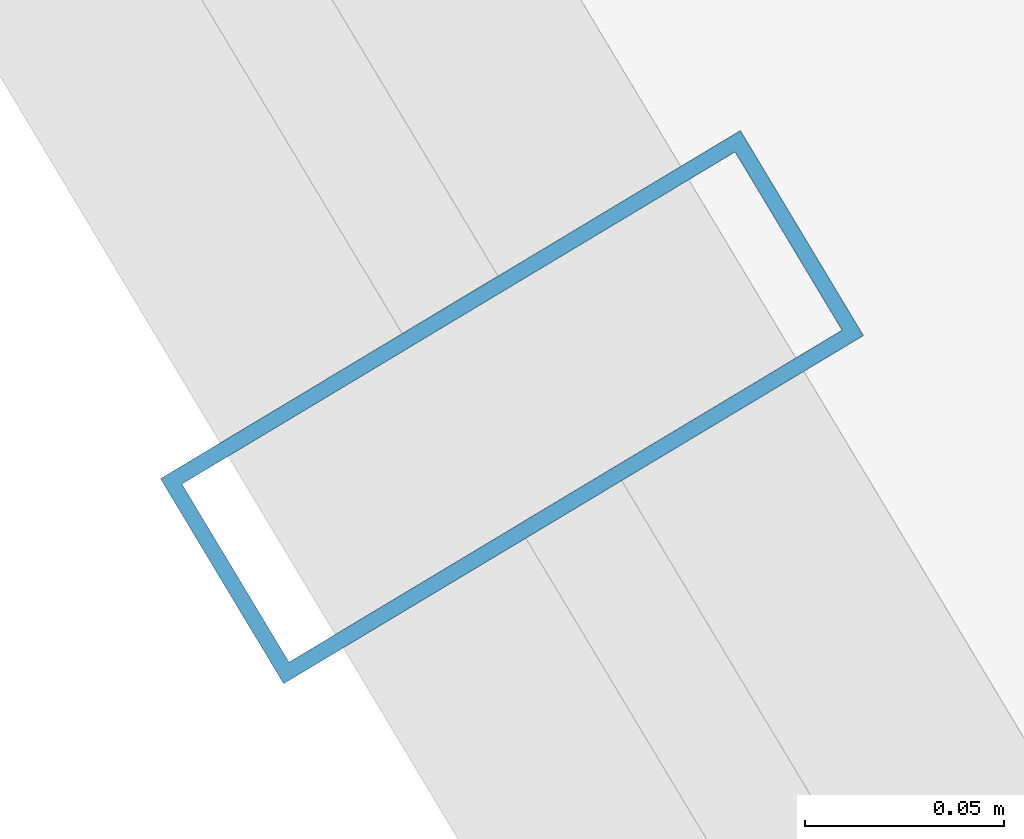
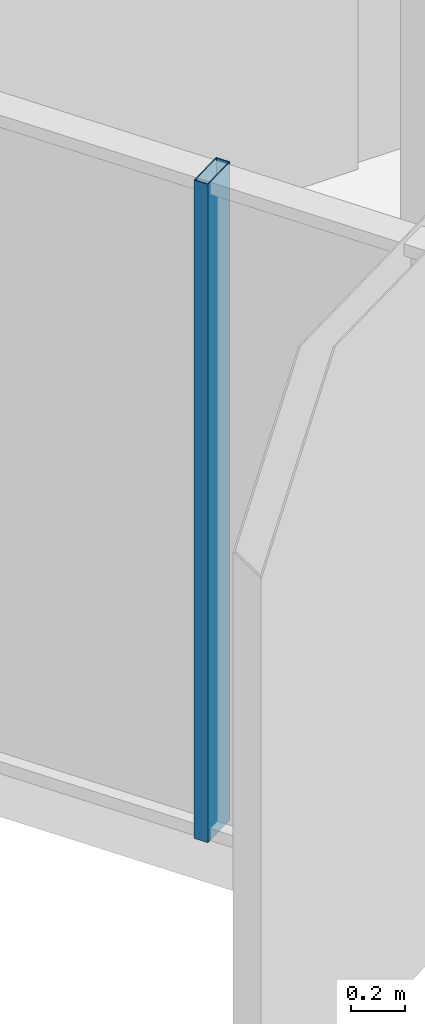
# One storey, part 4 of 39: 1 member, 1 element without a shape of its own.
"""IFC4 building model written with IfcOpenShell, lengths in metres."""

from ifc_helpers import new_model, si_unit, direction, frame, origin, origin_2d, place, context, subcontext, project, spatial, hollow_rectangle, extrude, source, transform, mapped, material, layer, layer_set, material_profile, profile_set, type_object, element, aggregate, save


model = new_model("IFC4")

# Units and contexts
model_context = context("Model", 3, precision=1e-05, world=origin(), true_north=direction((0.0, 1.0)))
body_context = subcontext(model_context, "Body", "Model", "MODEL_VIEW")
ifc_project = project(units=[si_unit("LENGTHUNIT", "METRE"), si_unit("AREAUNIT", "SQUARE_METRE"), si_unit("VOLUMEUNIT", "CUBIC_METRE"), si_unit("PLANEANGLEUNIT", "RADIAN"), si_unit("MASSUNIT", "GRAM", prefix="KILO")], contexts=[model_context])

# Site, building, storey
site_placement = place(None, origin())
site = spatial("IfcSite", under=ifc_project, at=site_placement, CompositionType="ELEMENT")
building_placement = place(site_placement, origin())
building = spatial("IfcBuilding", under=site, at=building_placement, Name="Veraguas Prism Commons", CompositionType="ELEMENT")
storey_placement = place(building_placement, frame((0.0, 0.0, 27.300048828125)))
storey = spatial("IfcBuildingStorey", under=building, at=storey_placement, Name="L06", CompositionType="ELEMENT", Elevation=27.300048828125)

# Curtain wall, member
ifc_material = material(Name="Anodised aluminium EN AW-6063 T6", Category="aluminium")
ifc_layer = layer(ifc_material, 0.169921875, Name="Unitised Flush Curtain Wall Zone 1", Category="aluminium")
ifc_layer_set = layer_set([ifc_layer], Name="Anodised aluminium EN AW-6063 T6")
curtain_wall_type = type_object("IfcCurtainWallType", Name="Unitised Flush Curtain Wall Zone 1", PredefinedType="NOTDEFINED", material=ifc_layer_set)
curtain_wall_placement = place(storey_placement, origin())
curtain_wall = element("IfcCurtainWall", 1, at=curtain_wall_placement, inside=storey, type_object=curtain_wall_type, Name="Tower Facade Curtain Wall L06-F4", PredefinedType="NOTDEFINED")
ifc_material_profile = material_profile(ifc_material, hollow_rectangle(XDim=0.06005859375, YDim=0.169921875, WallThickness=0.00390625, at=origin_2d()), Name="AL60X170X4")
ifc_profile_set = profile_set([ifc_material_profile], Name="Anodised aluminium EN AW-6063 T6")
member_type = type_object("IfcMemberType", Name="Curtain Wall Mullion Lower AL 60x170x4", PredefinedType="MULLION", material=ifc_profile_set)
shared_shape = source(origin(), body_context, "Body", "SweptSolid", [
    extrude(hollow_rectangle(XDim=0.06005859375, YDim=0.169921875, WallThickness=0.00390625, at=origin_2d()), origin(), (0.0, 0.0, 1.0), 3.0),
])
member_placement = place(storey_placement, frame((3.776123046875, 17.305908203125, 0.0), z_axis=(0.0, 0.0, 1.0), x_axis=(0.51473434664, -0.857349725835, 0.0)))
member = element("IfcMember", 2, at=member_placement, type_object=member_type, Name="CW-Z1 Mullion 2", PredefinedType="MULLION", context=body_context, shape_type="MappedRepresentation", body=[
    mapped(shared_shape, transform((0.0, 0.0, 0.0), scale=1.0)),
])
aggregate(curtain_wall, [member])

save(model, "model.ifc")
